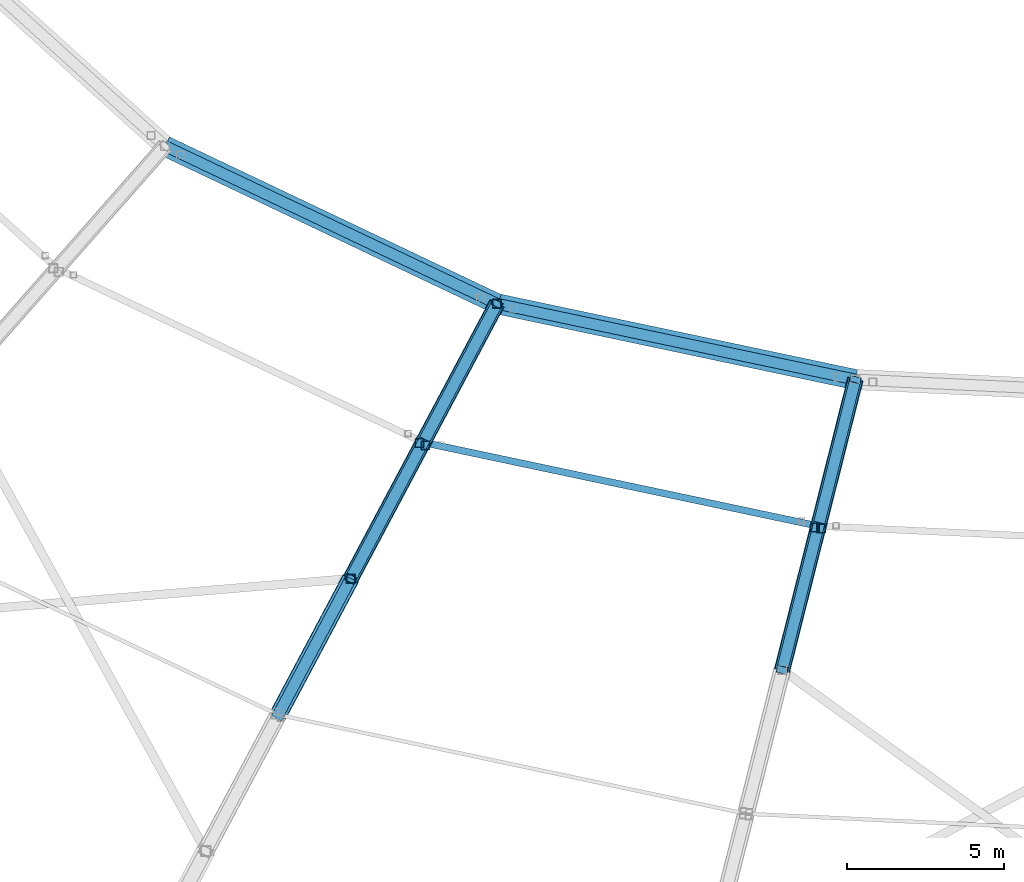
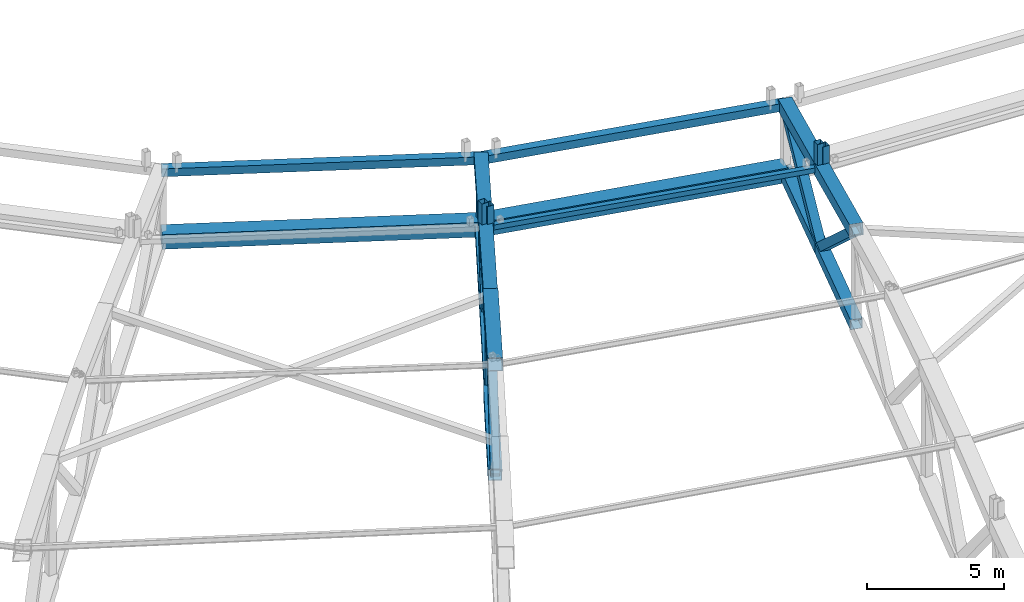
# One storey, part 33 of 162: 26 members.
"""IFC4 building model written with IfcOpenShell, lengths in metres."""

import ifcopenshell
import ifcopenshell.guid

model = None  # the IFC model being written
_history = None  # IfcOwnerHistory: only IFC2X3 demands one
_inside = {}  # id of a spatial element -> (the spatial element, [elements in it])
_under = {}  # id of a project, library or spatial element -> (it, [spatial elements below it])
_declared = {}  # id of a project -> (the project, [libraries it declares])
_typed = {}  # id of a type object -> (the type object, [elements of that type])
_made_of = {}  # id of a material, layer set ... -> (it, [elements and type objects made of it])


def new_model(schema):
    """Start an empty IFC model of exactly this schema.

    Asked for "IFC4X3", IfcOpenShell would pick the latest addendum, in which some entities
    have other attributes; the version numbers below select the first issue.
    IFC2X3 requires an IfcOwnerHistory on every rooted entity: one is made here for all.
    """
    global model, _history
    if schema == "IFC4X3":
        model = ifcopenshell.file(schema_version=(4, 3, 0, 0))
    else:
        model = ifcopenshell.file(schema=schema)
    _inside.clear()
    _under.clear()
    _declared.clear()
    _typed.clear()
    _made_of.clear()
    _history = None
    if model.schema == "IFC2X3":
        org = make("IfcOrganization", Name="unknown")
        user = make(
            "IfcPersonAndOrganization",
            ThePerson=make("IfcPerson", FamilyName="unknown"),
            TheOrganization=org,
        )
        app = make(
            "IfcApplication",
            ApplicationDeveloper=org,
            Version="unknown",
            ApplicationFullName="unknown",
            ApplicationIdentifier="unknown",
        )
        _history = make(
            "IfcOwnerHistory",
            OwningUser=user,
            OwningApplication=app,
            ChangeAction="ADDED",
            CreationDate=0,
        )
    return model


def make(cls, **values):
    """One entity of the class cls with the attributes given. An attribute that is None is left unset."""
    return model.create_entity(
        cls, **{name: value for name, value in values.items() if value is not None}
    )


def rooted(cls, **values):
    """An entity with a GlobalId (a new one), such as an element, a storey or a relation."""
    return make(cls, GlobalId=ifcopenshell.guid.new(), OwnerHistory=_history, **values)


def si_unit(unit_type, name, prefix=None):
    """IfcSIUnit, for example si_unit("LENGTHUNIT", "METRE", prefix="MILLI")."""
    return make("IfcSIUnit", UnitType=unit_type, Prefix=prefix, Name=name)


def assignment(units):
    """IfcUnitAssignment: the units of a project."""
    return None if units is None else make("IfcUnitAssignment", Units=units)


def point(xyz):
    """IfcCartesianPoint."""
    return None if xyz is None else make("IfcCartesianPoint", Coordinates=xyz)


def direction(xyz):
    """IfcDirection."""
    return None if xyz is None else make("IfcDirection", DirectionRatios=xyz)


def frame(location, z_axis=None, x_axis=None):
    """IfcAxis2Placement3D, a coordinate frame: its origin and axes. An axis left out is left unset."""
    return make(
        "IfcAxis2Placement3D",
        Location=point(location),
        Axis=direction(z_axis),
        RefDirection=direction(x_axis),
    )


def frame_2d(location, x_axis=None):
    """IfcAxis2Placement2D, a coordinate frame in the plane: its origin and x axis."""
    return make(
        "IfcAxis2Placement2D", Location=point(location), RefDirection=direction(x_axis)
    )


def origin():
    """The frame at (0, 0, 0) with its axes left unset."""
    return frame((0.0, 0.0, 0.0))


def origin_2d():
    """The frame at (0, 0) in the plane with its x axis left unset."""
    return frame_2d((0.0, 0.0))


def place(relative_to, where):
    """IfcLocalPlacement: puts the frame where relative to a parent placement (None: the world)."""
    return make(
        "IfcLocalPlacement", PlacementRelTo=relative_to, RelativePlacement=where
    )


def context(
    kind, dimensions, precision=None, world=None, true_north=None, identifier=None
):
    """IfcGeometricRepresentationContext, for example the 3D "Model" context."""
    return make(
        "IfcGeometricRepresentationContext",
        ContextIdentifier=identifier,
        ContextType=kind,
        CoordinateSpaceDimension=dimensions,
        Precision=precision,
        WorldCoordinateSystem=world,
        TrueNorth=true_north,
    )


def subcontext(parent, identifier, kind, view, scale=None):
    """IfcGeometricRepresentationSubContext, for example "Body" below "Model"."""
    return make(
        "IfcGeometricRepresentationSubContext",
        ContextIdentifier=identifier,
        ContextType=kind,
        ParentContext=parent,
        TargetScale=scale,
        TargetView=view,
    )


def project(units=None, contexts=None):
    """IfcProject with its units and contexts."""
    return rooted(
        "IfcProject",
        Name="project",
        RepresentationContexts=contexts,
        UnitsInContext=assignment(units),
    )


def spatial(cls, under=None, at=None, **own):
    """A site, building, storey or space (cls), placed at a placement, below another one or the project."""
    s = rooted(cls, ObjectPlacement=at, **own)
    if under is not None:
        _under.setdefault(under.id(), (under, []))[1].append(s)
    return s


def profile(cls, at=None, kind="AREA", **sizes):
    """A parametric profile (cls). Its sizes go by their IFC names, for example OverallWidth=200.0."""
    return make(cls, ProfileType=kind, Position=at, **sizes)


def hollow_rectangle(**sizes):
    """IfcRectangleHollowProfileDef."""
    return profile("IfcRectangleHollowProfileDef", **sizes)


def extrude(swept, where, along, depth):
    """IfcExtrudedAreaSolid: the profile swept, set in the frame where, extruded along a direction by depth."""
    return make(
        "IfcExtrudedAreaSolid",
        SweptArea=swept,
        Position=where,
        ExtrudedDirection=direction(along),
        Depth=depth,
    )


def shape(context_of_items, identifier, shape_type, items):
    """IfcShapeRepresentation: the items that make up one representation, for example the "Body"."""
    return make(
        "IfcShapeRepresentation",
        ContextOfItems=context_of_items,
        RepresentationIdentifier=identifier,
        RepresentationType=shape_type,
        Items=items,
    )


def material(Name=None, Category=None):
    """IfcMaterial."""
    return make("IfcMaterial", Name=Name, Category=Category)


def material_profile(
    of_material, cross_section, Name=None, Category=None, Priority=None
):
    """IfcMaterialProfile: a cross section and its material."""
    return make(
        "IfcMaterialProfile",
        Name=Name,
        Material=of_material,
        Profile=cross_section,
        Priority=Priority,
        Category=Category,
    )


def profile_set(profiles, Name=None, composite=None):
    """IfcMaterialProfileSet."""
    return make(
        "IfcMaterialProfileSet",
        Name=Name,
        MaterialProfiles=profiles,
        CompositeProfile=composite,
    )


def made_of(thing, what):
    """Note that an element or type object is made of a material, layer set ...; save() writes the relation."""
    if what is not None:
        _made_of.setdefault(what.id(), (what, []))[1].append(thing)
    return thing


def type_object(cls, material=None, **own):
    """A type object (cls), such as IfcWallType, which elements share."""
    return made_of(rooted(cls, **own), material)


def element(
    cls,
    number,
    at=None,
    inside=None,
    cuts=None,
    type_object=None,
    material=None,
    context=None,
    identifier="Body",
    shape_type=None,
    held_by="IfcProductDefinitionShape",
    body=None,
    shapes=None,
    **own,
):
    """One element of the class cls, such as IfcWall. Its Tag is "e" and its number.

    at: its placement. inside: the storey or other place that contains it. cuts: it is an
    opening in that element (IfcRelVoidsElement). A single representation is given by context,
    identifier, shape_type and body (its items); several are given by shapes. held_by: the class
    of the entity that holds the representations. save() writes the other relations.
    """
    e = rooted(cls, Tag="e%d" % number, ObjectPlacement=at, **own)
    if body is not None:
        shapes = [shape(context, identifier, shape_type, body)]
    if shapes is not None:
        e.Representation = make(held_by, Representations=shapes)
    if inside is not None:
        _inside.setdefault(inside.id(), (inside, []))[1].append(e)
    if cuts is not None:
        rooted(
            "IfcRelVoidsElement", RelatingBuildingElement=cuts, RelatedOpeningElement=e
        )
    if type_object is not None:
        _typed.setdefault(type_object.id(), (type_object, []))[1].append(e)
    return made_of(e, material)


def aggregate(whole, parts):
    """IfcRelAggregates: a whole, such as a stair, and the parts it consists of."""
    return rooted("IfcRelAggregates", RelatingObject=whole, RelatedObjects=parts)


def save(model, path):
    """Write the relations noted so far, then the file.

    IfcRelAggregates (storeys below a building ...), IfcRelContainedInSpatialStructure (elements
    in a storey), IfcRelDefinesByType, IfcRelAssociatesMaterial and IfcRelDeclares: one each for
    every whole, place, type object, material and project.
    """
    for whole, parts in _under.values():
        aggregate(whole, parts)
    for where, things in _inside.values():
        rooted(
            "IfcRelContainedInSpatialStructure",
            RelatedElements=things,
            RelatingStructure=where,
        )
    for kind, things in _typed.values():
        rooted("IfcRelDefinesByType", RelatedObjects=things, RelatingType=kind)
    for what, things in _made_of.values():
        rooted("IfcRelAssociatesMaterial", RelatedObjects=things, RelatingMaterial=what)
    for by, libraries in _declared.values():
        rooted("IfcRelDeclares", RelatingContext=by, RelatedDefinitions=libraries)
    model.write(path)


model = new_model("IFC4")

# Units and contexts
model_context = context("Model", 3, precision=1e-05, world=origin(), true_north=direction((0.0, 1.0)))
body_context = subcontext(model_context, "Body", "Model", "MODEL_VIEW")
ifc_project = project(units=[si_unit("LENGTHUNIT", "METRE"), si_unit("AREAUNIT", "SQUARE_METRE"), si_unit("VOLUMEUNIT", "CUBIC_METRE"), si_unit("PLANEANGLEUNIT", "RADIAN"), si_unit("MASSUNIT", "GRAM", prefix="KILO")], contexts=[model_context])

# Site, building, storey
site_placement = place(None, origin())
site = spatial("IfcSite", under=ifc_project, at=site_placement, CompositionType="ELEMENT")
building_placement = place(site_placement, origin())
building = spatial("IfcBuilding", under=site, at=building_placement, Name="Kazemori Nagisa Stadium", CompositionType="ELEMENT")
storey_placement = place(building_placement, frame((0.0, 0.0, 36.719970703125)))
storey = spatial("IfcBuildingStorey", under=building, at=storey_placement, Name="RF", CompositionType="ELEMENT", Elevation=36.719970703125)

# Members
ifc_material = material(Name="Steel STKR490", Category="steel")
ifc_material_profile_1 = material_profile(ifc_material, hollow_rectangle(XDim=0.280029296875, YDim=0.280029296875, WallThickness=0.010009765625, at=origin_2d()), Name="SHS-280x280x10")
ifc_profile_set_1 = profile_set([ifc_material_profile_1], Name="Steel STKR490")
member_type_1 = type_object("IfcMemberType", Name="Member_ST-SHS280", PredefinedType="STUD", material=ifc_profile_set_1)
for number, where, z_axis, x_axis, name in (
    (1, (97.62646484375, 54.508056640625, 5.662109375), (0.0, 0.0, 1.0), (1.0, 0.0, 0.0), "Canopy bearing stool B19-inner-3"),
    (2, (110.245849609375, 51.814208984375, 5.525146484375), (0.0, 0.0, 1.0), (1.0, 0.0, 0.0), "Canopy bearing stool B20-inner-3"),
):
    element("IfcMember", number, at=place(storey_placement, frame(where, z_axis=z_axis, x_axis=x_axis)), inside=storey, type_object=member_type_1, Name=name, PredefinedType="STUD", context=body_context, shape_type="SweptSolid", body=[
        extrude(hollow_rectangle(XDim=0.280029296875, YDim=0.280029296875, WallThickness=0.010009765625, at=origin_2d()), origin(), (0.0, 0.0, 1.0), 1.2099609375),
    ])
member_1_placement = place(storey_placement, frame((97.819580078125, 54.431884765625, 5.662109375), z_axis=(0.0, 0.0, 1.0), x_axis=(1.0, 0.0, 0.0)))
element("IfcMember", 3, at=member_1_placement, inside=storey, type_object=member_type_1, Name="Canopy bearing stool B20-inner-4", PredefinedType="STUD", context=body_context, shape_type="SweptSolid", body=[
    extrude(hollow_rectangle(XDim=0.280029296875, YDim=0.280029296875, WallThickness=0.010009765625, at=origin_2d()), origin(), (0.0, 0.0, 1.0), 1.072998046875),
])
member_2_placement = place(storey_placement, frame((110.44873046875, 51.77978515625, 5.525146484375), z_axis=(0.0, 0.0, 1.0), x_axis=(1.0, 0.0, 0.0)))
element("IfcMember", 4, at=member_2_placement, inside=storey, type_object=member_type_1, Name="Canopy bearing stool B21-inner-4", PredefinedType="STUD", context=body_context, shape_type="SweptSolid", body=[
    extrude(hollow_rectangle(XDim=0.280029296875, YDim=0.280029296875, WallThickness=0.010009765625, at=origin_2d()), origin(), (0.0, 0.0, 1.0), 1.055908203125),
])
ifc_material_profile_2 = material_profile(ifc_material, hollow_rectangle(XDim=0.360107421875, YDim=0.360107421875, WallThickness=0.013916015625, at=origin_2d()), Name="SHS-360x360x14")
ifc_profile_set_2 = profile_set([ifc_material_profile_2], Name="Steel STKR490")
member_type_2 = type_object("IfcMemberType", Name="Member_TB-SHS360", PredefinedType="BRACE", material=ifc_profile_set_2)
member_3_placement = place(storey_placement, frame((93.122314453125, 45.8359375, 1.489990234375), z_axis=(0.343337533763, 0.64537157672, 0.682359777442), x_axis=(-0.88284131776, 0.469671382624, 0.0)))
element("IfcMember", 5, at=member_3_placement, inside=storey, type_object=member_type_2, Name="Roof space truss diagonal RT-20-7", PredefinedType="BRACE", context=body_context, shape_type="SweptSolid", body=[
    extrude(hollow_rectangle(XDim=0.360107421875, YDim=0.360107421875, WallThickness=0.013916015625, at=origin_2d()), origin(), (0.0, 0.0, 1.0), 6.732421875),
])
member_4_placement = place(storey_placement, frame((95.433837890625, 50.180908203125, 6.083984375), z_axis=(0.363600099984, 0.683569724255, -0.632872340503), x_axis=(-0.882872826789, 0.469612150309, 0.0)))
element("IfcMember", 6, at=member_4_placement, inside=storey, type_object=member_type_2, Name="Roof space truss diagonal RT-20-8", PredefinedType="BRACE", context=body_context, shape_type="SweptSolid", body=[
    extrude(hollow_rectangle(XDim=0.360107421875, YDim=0.360107421875, WallThickness=0.013916015625, at=origin_2d()), origin(), (0.0, 0.0, 1.0), 6.356689453125),
])
member_5_placement = place(storey_placement, frame((97.7451171875, 54.526123046875, 2.06103515625), z_axis=(0.396619075892, 0.745568183004, 0.535557086715), x_axis=(-0.882852625081, 0.469650127636, 0.0)))
element("IfcMember", 7, at=member_5_placement, inside=storey, type_object=member_type_2, Name="Roof space truss diagonal RT-20-9", PredefinedType="BRACE", context=body_context, shape_type="SweptSolid", body=[
    extrude(hollow_rectangle(XDim=0.360107421875, YDim=0.360107421875, WallThickness=0.013916015625, at=origin_2d()), origin(), (0.0, 0.0, 1.0), 5.935791015625),
])
member_6_placement = place(storey_placement, frame((109.20068359375, 47.2685546875, 5.93603515625), z_axis=(0.187195476241, 0.742501238004, -0.6431560971), x_axis=(-0.969658101679, 0.244465060587, 0.0)))
element("IfcMember", 8, at=member_6_placement, inside=storey, type_object=member_type_2, Name="Roof space truss diagonal RT-21-8", PredefinedType="BRACE", context=body_context, shape_type="SweptSolid", body=[
    extrude(hollow_rectangle(XDim=0.360107421875, YDim=0.360107421875, WallThickness=0.013916015625, at=origin_2d()), origin(), (0.0, 0.0, 1.0), 6.1806640625),
])
member_7_placement = place(storey_placement, frame((110.357666015625, 51.857666015625, 1.9609375), z_axis=(0.204587816518, 0.811485049733, 0.547390024929), x_axis=(-0.969657957975, 0.244465630583, 0.0)))
element("IfcMember", 9, at=member_7_placement, inside=storey, type_object=member_type_2, Name="Roof space truss diagonal RT-21-9", PredefinedType="BRACE", context=body_context, shape_type="SweptSolid", body=[
    extrude(hollow_rectangle(XDim=0.360107421875, YDim=0.360107421875, WallThickness=0.013916015625, at=origin_2d()), origin(), (0.0, 0.0, 1.0), 5.76025390625),
])
ifc_material_profile_3 = material_profile(ifc_material, hollow_rectangle(XDim=0.35009765625, YDim=0.35009765625, WallThickness=0.01611328125, at=origin_2d()), Name="SHS-350x350x16")
ifc_profile_set_3 = profile_set([ifc_material_profile_3], Name="Steel STKR490")
member_type_3 = type_object("IfcMemberType", Name="Member_TC-SHS350", PredefinedType="CHORD", material=ifc_profile_set_3)
member_8_placement = place(storey_placement, frame((89.510009765625, 63.9833984375, 5.35400390625), z_axis=(0.90317547141, -0.429161397744, -0.009724326674), x_axis=(0.429181690477, 0.903218177717, 0.0)))
element("IfcMember", 10, at=member_8_placement, inside=storey, type_object=member_type_3, Name="Roof tension ring beam upper TR-19", PredefinedType="CHORD", context=body_context, shape_type="SweptSolid", body=[
    extrude(hollow_rectangle(XDim=0.35009765625, YDim=0.35009765625, WallThickness=0.01611328125, at=origin_2d()), origin(), (0.0, 0.0, 1.0), 11.724609375),
])
member_9_placement = place(storey_placement, frame((100.099365234375, 58.95166015625, 5.239990234375), z_axis=(0.978286636935, -0.206976173736, -0.01077587586), x_axis=(0.206988191768, 0.97834344096, 0.0)))
element("IfcMember", 11, at=member_9_placement, inside=storey, type_object=member_type_3, Name="Roof tension ring beam upper TR-20", PredefinedType="CHORD", context=body_context, shape_type="SweptSolid", body=[
    extrude(hollow_rectangle(XDim=0.35009765625, YDim=0.35009765625, WallThickness=0.01611328125, at=origin_2d()), origin(), (0.0, 0.0, 1.0), 11.690673828125),
])
ifc_material_profile_4 = material_profile(ifc_material, hollow_rectangle(XDim=0.4599609375, YDim=0.4599609375, WallThickness=0.01611328125, at=origin_2d()), Name="SHS-460x460x16")
ifc_profile_set_4 = profile_set([ifc_material_profile_4], Name="Steel STKR490")
member_type_4 = type_object("IfcMemberType", Name="Member_TC-SHS460", PredefinedType="CHORD", material=ifc_profile_set_4)
member_10_placement = place(storey_placement, frame((95.433837890625, 50.180908203125, 1.81396484375), z_axis=(0.469021535473, 0.8817624684, 0.050137297338), x_axis=(-0.882872826789, 0.469612150309, 0.0)))
element("IfcMember", 12, at=member_10_placement, inside=storey, type_object=member_type_4, Name="Roof space truss bottom chord RT-20-8", PredefinedType="CHORD", context=body_context, shape_type="SweptSolid", body=[
    extrude(hollow_rectangle(XDim=0.4599609375, YDim=0.4599609375, WallThickness=0.01611328125, at=origin_2d()), origin(), (0.0, 0.0, 1.0), 4.927978515625),
])
member_11_placement = place(storey_placement, frame((97.7451171875, 54.526123046875, 2.06103515625), z_axis=(0.469246307674, 0.882093520606, 0.041459903986), x_axis=(-0.882852625081, 0.469650127636, 0.0)))
element("IfcMember", 13, at=member_11_placement, inside=storey, type_object=member_type_4, Name="Roof space truss bottom chord RT-20-9", PredefinedType="CHORD", context=body_context, shape_type="SweptSolid", body=[
    extrude(hollow_rectangle(XDim=0.4599609375, YDim=0.4599609375, WallThickness=0.01611328125, at=origin_2d()), origin(), (0.0, 0.0, 1.0), 5.01708984375),
])
member_12_placement = place(storey_placement, frame((109.20068359375, 47.2685546875, 1.72900390625), z_axis=(0.244172030114, 0.968495811362, 0.048947758727), x_axis=(-0.969658101679, 0.244465060587, 0.0)))
element("IfcMember", 14, at=member_12_placement, inside=storey, type_object=member_type_4, Name="Roof space truss bottom chord RT-21-8", PredefinedType="CHORD", context=body_context, shape_type="SweptSolid", body=[
    extrude(hollow_rectangle(XDim=0.4599609375, YDim=0.4599609375, WallThickness=0.01611328125, at=origin_2d()), origin(), (0.0, 0.0, 1.0), 4.73828125),
])
member_13_placement = place(storey_placement, frame((110.357666015625, 51.857666015625, 1.9609375), z_axis=(0.244273639739, 0.968896438045, 0.03962425107), x_axis=(-0.969657957975, 0.244465630583, 0.0)))
element("IfcMember", 15, at=member_13_placement, inside=storey, type_object=member_type_4, Name="Roof space truss bottom chord RT-21-9", PredefinedType="CHORD", context=body_context, shape_type="SweptSolid", body=[
    extrude(hollow_rectangle(XDim=0.4599609375, YDim=0.4599609375, WallThickness=0.01611328125, at=origin_2d()), origin(), (0.0, 0.0, 1.0), 4.824462890625),
])
ifc_material_profile_5 = material_profile(ifc_material, hollow_rectangle(XDim=0.52001953125, YDim=0.52001953125, WallThickness=0.01904296875, at=origin_2d()), Name="SHS-520x520x19")
ifc_profile_set_5 = profile_set([ifc_material_profile_5], Name="Steel STKR490")
member_type_5 = type_object("IfcMemberType", Name="Member_TC-SHS520", PredefinedType="CHORD", material=ifc_profile_set_5)
member_14_placement = place(storey_placement, frame((93.122314453125, 45.8359375, 1.489990234375), z_axis=(0.468657076575, 0.880934726638, 0.065685249326), x_axis=(-0.88284131776, 0.469671382624, 0.0)))
element("IfcMember", 16, at=member_14_placement, inside=storey, type_object=member_type_5, Name="Roof space truss bottom chord RT-20-7", PredefinedType="CHORD", context=body_context, shape_type="SweptSolid", body=[
    extrude(hollow_rectangle(XDim=0.52001953125, YDim=0.52001953125, WallThickness=0.01904296875, at=origin_2d()), origin(), (0.0, 0.0, 1.0), 4.93212890625),
])
member_15_placement = place(storey_placement, frame((95.433837890625, 50.180908203125, 6.083984375), z_axis=(0.467896354988, 0.879647124334, -0.085404552806), x_axis=(-0.882872826789, 0.469612150309, 0.0)))
element("IfcMember", 17, at=member_15_placement, inside=storey, type_object=member_type_5, Name="Roof space truss top chord RT-20-8", PredefinedType="CHORD", context=body_context, shape_type="SweptSolid", body=[
    extrude(hollow_rectangle(XDim=0.52001953125, YDim=0.52001953125, WallThickness=0.01904296875, at=origin_2d()), origin(), (0.0, 0.0, 1.0), 4.939697265625),
])
member_16_placement = place(storey_placement, frame((97.7451171875, 54.526123046875, 5.662109375), z_axis=(0.467993759984, 0.879738969949, -0.083911771338), x_axis=(-0.882852625081, 0.469650127636, 0.0)))
element("IfcMember", 18, at=member_16_placement, inside=storey, type_object=member_type_5, Name="Roof space truss top chord RT-20-9", PredefinedType="CHORD", context=body_context, shape_type="SweptSolid", body=[
    extrude(hollow_rectangle(XDim=0.52001953125, YDim=0.52001953125, WallThickness=0.01904296875, at=origin_2d()), origin(), (0.0, 0.0, 1.0), 5.030517578125),
])
member_17_placement = place(storey_placement, frame((109.20068359375, 47.2685546875, 5.93603515625), z_axis=(0.243548906494, 0.966024223544, -0.086493523872), x_axis=(-0.969658101679, 0.244465060587, 0.0)))
element("IfcMember", 19, at=member_17_placement, inside=storey, type_object=member_type_5, Name="Roof space truss top chord RT-21-8", PredefinedType="CHORD", context=body_context, shape_type="SweptSolid", body=[
    extrude(hollow_rectangle(XDim=0.52001953125, YDim=0.52001953125, WallThickness=0.01904296875, at=origin_2d()), origin(), (0.0, 0.0, 1.0), 4.75048828125),
])
member_18_placement = place(storey_placement, frame((110.357666015625, 51.857666015625, 5.525146484375), z_axis=(0.243581346873, 0.966150500771, -0.084978452068), x_axis=(-0.969657957975, 0.244465630583, 0.0)))
element("IfcMember", 20, at=member_18_placement, inside=storey, type_object=member_type_5, Name="Roof space truss top chord RT-21-9", PredefinedType="CHORD", context=body_context, shape_type="SweptSolid", body=[
    extrude(hollow_rectangle(XDim=0.52001953125, YDim=0.52001953125, WallThickness=0.01904296875, at=origin_2d()), origin(), (0.0, 0.0, 1.0), 4.838134765625),
])
ifc_material_profile_6 = material_profile(ifc_material, hollow_rectangle(XDim=0.56005859375, YDim=0.56005859375, WallThickness=0.02001953125, at=origin_2d()), Name="SHS-560x560x20")
ifc_profile_set_6 = profile_set([ifc_material_profile_6], Name="Steel STKR490")
member_type_6 = type_object("IfcMemberType", Name="Member_TC-SHS560", PredefinedType="CHORD", material=ifc_profile_set_6)
member_19_placement = place(storey_placement, frame((93.122314453125, 45.8359375, 6.419921875), z_axis=(0.468581051741, 0.880791822754, -0.06809965433), x_axis=(-0.88284131776, 0.469671382624, 0.0)))
element("IfcMember", 21, at=member_19_placement, inside=storey, type_object=member_type_6, Name="Roof space truss top chord RT-20-7", PredefinedType="CHORD", context=body_context, shape_type="SweptSolid", body=[
    extrude(hollow_rectangle(XDim=0.56005859375, YDim=0.56005859375, WallThickness=0.02001953125, at=origin_2d()), origin(), (0.0, 0.0, 1.0), 4.93310546875),
])
ifc_material_profile_7 = material_profile(ifc_material, hollow_rectangle(XDim=0.64990234375, YDim=0.64990234375, WallThickness=0.02490234375, at=origin_2d()), Name="SHS-650x650x25")
ifc_profile_set_7 = profile_set([ifc_material_profile_7], Name="Steel STKR490")
member_type_7 = type_object("IfcMemberType", Name="Member_TC-SHS650", PredefinedType="CHORD", material=ifc_profile_set_7)
member_20_placement = place(storey_placement, frame((89.510009765625, 63.9833984375, 2.373046875), z_axis=(0.903182640565, -0.429164804308, -0.008870655344), x_axis=(0.429181690477, 0.903218177717, 0.0)))
element("IfcMember", 22, at=member_20_placement, inside=storey, type_object=member_type_7, Name="Roof tension ring beam lower TR-19", PredefinedType="CHORD", context=body_context, shape_type="SweptSolid", body=[
    extrude(hollow_rectangle(XDim=0.64990234375, YDim=0.64990234375, WallThickness=0.02490234375, at=origin_2d()), origin(), (0.0, 0.0, 1.0), 11.724609375),
])
member_21_placement = place(storey_placement, frame((100.099365234375, 58.95166015625, 2.26904296875), z_axis=(0.978294490591, -0.206977835335, -0.010003267392), x_axis=(0.206988191768, 0.97834344096, 0.0)))
element("IfcMember", 23, at=member_21_placement, inside=storey, type_object=member_type_7, Name="Roof tension ring beam lower TR-20", PredefinedType="CHORD", context=body_context, shape_type="SweptSolid", body=[
    extrude(hollow_rectangle(XDim=0.64990234375, YDim=0.64990234375, WallThickness=0.02490234375, at=origin_2d()), origin(), (0.0, 0.0, 1.0), 11.6904296875),
])
ifc_material_profile_8 = material_profile(ifc_material, hollow_rectangle(XDim=0.219970703125, YDim=0.219970703125, WallThickness=0.009033203125, at=origin_2d()), Name="SHS-220x220x9")
ifc_profile_set_8 = profile_set([ifc_material_profile_8], Name="Steel STKR490")
member_type_8 = type_object("IfcMemberType", Name="Member_TP-SHS220", PredefinedType="PURLIN", material=ifc_profile_set_8)
member_22_placement = place(storey_placement, frame((97.7451171875, 54.526123046875, 5.662109375), z_axis=(0.978287931146, -0.206977934756, -0.010623478627), x_axis=(0.206989615333, 0.978343139775, 0.0)))
element("IfcMember", 24, at=member_22_placement, inside=storey, type_object=member_type_8, Name="Roof purlin TP-SHS220 B20-P8", PredefinedType="PURLIN", context=body_context, shape_type="SweptSolid", body=[
    extrude(hollow_rectangle(XDim=0.219970703125, YDim=0.219970703125, WallThickness=0.009033203125, at=origin_2d()), origin(), (0.0, 0.0, 1.0), 12.892578125),
])
ifc_material_profile_9 = material_profile(ifc_material, hollow_rectangle(XDim=0.280029296875, YDim=0.280029296875, WallThickness=0.010009765625, at=origin_2d()), Name="SHS-280x280x10")
ifc_profile_set_9 = profile_set([ifc_material_profile_9], Name="Steel STKR490")
member_type_9 = type_object("IfcMemberType", Name="Member_TS-SHS280", PredefinedType="STRUT", material=ifc_profile_set_9)
member_23_placement = place(storey_placement, frame((95.433837890625, 50.180908203125, 1.81396484375), z_axis=(0.0, 0.0, 1.0), x_axis=(1.0, 0.0, 0.0)))
element("IfcMember", 25, at=member_23_placement, inside=storey, type_object=member_type_9, Name="Roof space truss strut RT-20-8", PredefinedType="STRUT", context=body_context, shape_type="SweptSolid", body=[
    extrude(hollow_rectangle(XDim=0.280029296875, YDim=0.280029296875, WallThickness=0.010009765625, at=origin_2d()), origin(), (0.0, 0.0, 1.0), 4.27001953125),
])
member_24_placement = place(storey_placement, frame((100.099365234375, 58.95166015625, 2.26904296875), z_axis=(0.0, 0.0, 1.0), x_axis=(1.0, 0.0, 0.0)))
element("IfcMember", 26, at=member_24_placement, inside=storey, type_object=member_type_9, Name="Roof space truss strut RT-20-10", PredefinedType="STRUT", context=body_context, shape_type="SweptSolid", body=[
    extrude(hollow_rectangle(XDim=0.280029296875, YDim=0.280029296875, WallThickness=0.010009765625, at=origin_2d()), origin(), (0.0, 0.0, 1.0), 2.970947265625),
])

save(model, "model.ifc")
